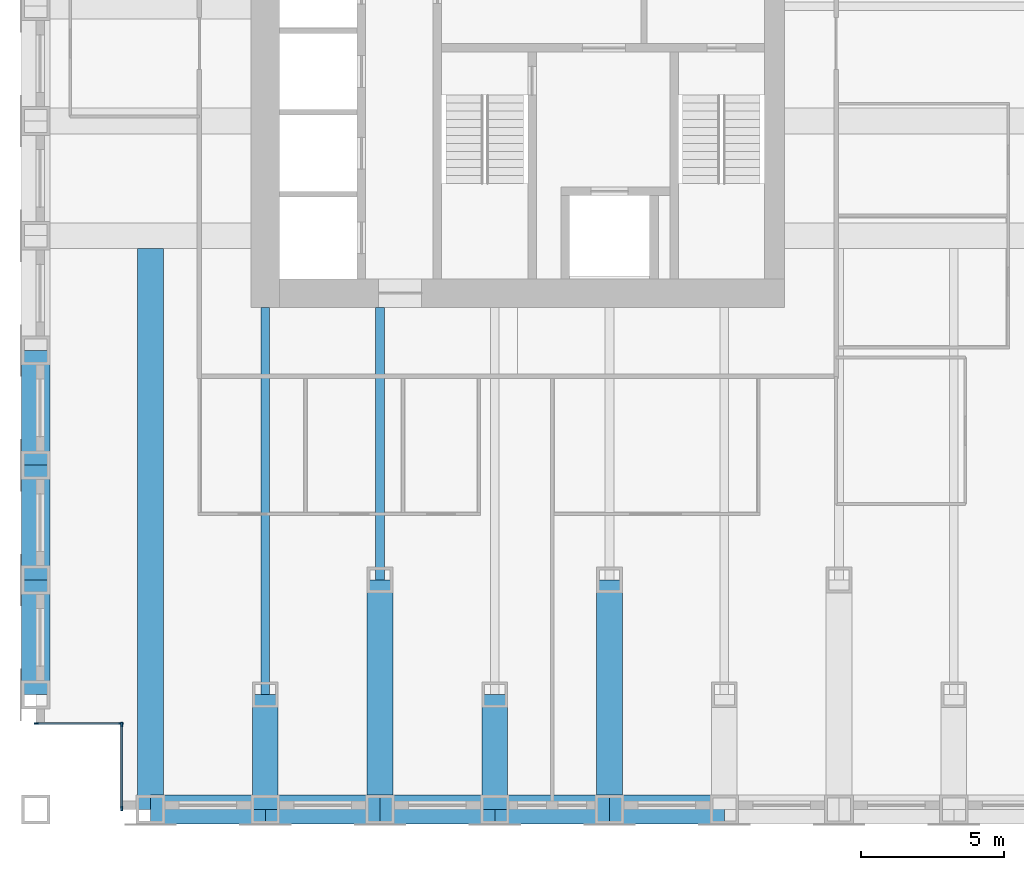
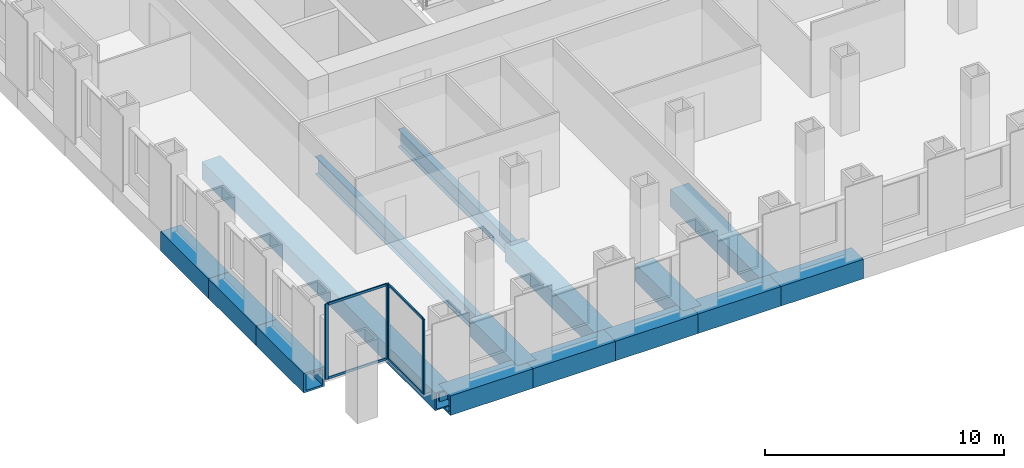
# One storey, part 2 of 16: 15 beams, 8 members, 2 elements without a shape of their own.
"""IFC4 building model written with IfcOpenShell, lengths in metres."""

import ifcopenshell
import ifcopenshell.guid

model = None  # the IFC model being written
_history = None  # IfcOwnerHistory: only IFC2X3 demands one
_inside = {}  # id of a spatial element -> (the spatial element, [elements in it])
_under = {}  # id of a project, library or spatial element -> (it, [spatial elements below it])
_declared = {}  # id of a project -> (the project, [libraries it declares])
_typed = {}  # id of a type object -> (the type object, [elements of that type])
_made_of = {}  # id of a material, layer set ... -> (it, [elements and type objects made of it])


def new_model(schema):
    """Start an empty IFC model of exactly this schema.

    Asked for "IFC4X3", IfcOpenShell would pick the latest addendum, in which some entities
    have other attributes; the version numbers below select the first issue.
    IFC2X3 requires an IfcOwnerHistory on every rooted entity: one is made here for all.
    """
    global model, _history
    if schema == "IFC4X3":
        model = ifcopenshell.file(schema_version=(4, 3, 0, 0))
    else:
        model = ifcopenshell.file(schema=schema)
    _inside.clear()
    _under.clear()
    _declared.clear()
    _typed.clear()
    _made_of.clear()
    _history = None
    if model.schema == "IFC2X3":
        org = make("IfcOrganization", Name="unknown")
        user = make(
            "IfcPersonAndOrganization",
            ThePerson=make("IfcPerson", FamilyName="unknown"),
            TheOrganization=org,
        )
        app = make(
            "IfcApplication",
            ApplicationDeveloper=org,
            Version="unknown",
            ApplicationFullName="unknown",
            ApplicationIdentifier="unknown",
        )
        _history = make(
            "IfcOwnerHistory",
            OwningUser=user,
            OwningApplication=app,
            ChangeAction="ADDED",
            CreationDate=0,
        )
    return model


def make(cls, **values):
    """One entity of the class cls with the attributes given. An attribute that is None is left unset."""
    return model.create_entity(
        cls, **{name: value for name, value in values.items() if value is not None}
    )


def rooted(cls, **values):
    """An entity with a GlobalId (a new one), such as an element, a storey or a relation."""
    return make(cls, GlobalId=ifcopenshell.guid.new(), OwnerHistory=_history, **values)


def si_unit(unit_type, name, prefix=None):
    """IfcSIUnit, for example si_unit("LENGTHUNIT", "METRE", prefix="MILLI")."""
    return make("IfcSIUnit", UnitType=unit_type, Prefix=prefix, Name=name)


def assignment(units):
    """IfcUnitAssignment: the units of a project."""
    return None if units is None else make("IfcUnitAssignment", Units=units)


def point(xyz):
    """IfcCartesianPoint."""
    return None if xyz is None else make("IfcCartesianPoint", Coordinates=xyz)


def direction(xyz):
    """IfcDirection."""
    return None if xyz is None else make("IfcDirection", DirectionRatios=xyz)


def frame(location, z_axis=None, x_axis=None):
    """IfcAxis2Placement3D, a coordinate frame: its origin and axes. An axis left out is left unset."""
    return make(
        "IfcAxis2Placement3D",
        Location=point(location),
        Axis=direction(z_axis),
        RefDirection=direction(x_axis),
    )


def frame_2d(location, x_axis=None):
    """IfcAxis2Placement2D, a coordinate frame in the plane: its origin and x axis."""
    return make(
        "IfcAxis2Placement2D", Location=point(location), RefDirection=direction(x_axis)
    )


def origin():
    """The frame at (0, 0, 0) with its axes left unset."""
    return frame((0.0, 0.0, 0.0))


def origin_2d():
    """The frame at (0, 0) in the plane with its x axis left unset."""
    return frame_2d((0.0, 0.0))


def place(relative_to, where):
    """IfcLocalPlacement: puts the frame where relative to a parent placement (None: the world)."""
    return make(
        "IfcLocalPlacement", PlacementRelTo=relative_to, RelativePlacement=where
    )


def context(
    kind, dimensions, precision=None, world=None, true_north=None, identifier=None
):
    """IfcGeometricRepresentationContext, for example the 3D "Model" context."""
    return make(
        "IfcGeometricRepresentationContext",
        ContextIdentifier=identifier,
        ContextType=kind,
        CoordinateSpaceDimension=dimensions,
        Precision=precision,
        WorldCoordinateSystem=world,
        TrueNorth=true_north,
    )


def subcontext(parent, identifier, kind, view, scale=None):
    """IfcGeometricRepresentationSubContext, for example "Body" below "Model"."""
    return make(
        "IfcGeometricRepresentationSubContext",
        ContextIdentifier=identifier,
        ContextType=kind,
        ParentContext=parent,
        TargetScale=scale,
        TargetView=view,
    )


def project(units=None, contexts=None):
    """IfcProject with its units and contexts."""
    return rooted(
        "IfcProject",
        Name="project",
        RepresentationContexts=contexts,
        UnitsInContext=assignment(units),
    )


def spatial(cls, under=None, at=None, **own):
    """A site, building, storey or space (cls), placed at a placement, below another one or the project."""
    s = rooted(cls, ObjectPlacement=at, **own)
    if under is not None:
        _under.setdefault(under.id(), (under, []))[1].append(s)
    return s


def profile(cls, at=None, kind="AREA", **sizes):
    """A parametric profile (cls). Its sizes go by their IFC names, for example OverallWidth=200.0."""
    return make(cls, ProfileType=kind, Position=at, **sizes)


def rectangle(**sizes):
    """IfcRectangleProfileDef."""
    return profile("IfcRectangleProfileDef", **sizes)


def hollow_rectangle(**sizes):
    """IfcRectangleHollowProfileDef."""
    return profile("IfcRectangleHollowProfileDef", **sizes)


def i_section(**sizes):
    """IfcIShapeProfileDef."""
    return profile("IfcIShapeProfileDef", **sizes)


def extrude(swept, where, along, depth):
    """IfcExtrudedAreaSolid: the profile swept, set in the frame where, extruded along a direction by depth."""
    return make(
        "IfcExtrudedAreaSolid",
        SweptArea=swept,
        Position=where,
        ExtrudedDirection=direction(along),
        Depth=depth,
    )


def shape(context_of_items, identifier, shape_type, items):
    """IfcShapeRepresentation: the items that make up one representation, for example the "Body"."""
    return make(
        "IfcShapeRepresentation",
        ContextOfItems=context_of_items,
        RepresentationIdentifier=identifier,
        RepresentationType=shape_type,
        Items=items,
    )


def material(Name=None, Category=None):
    """IfcMaterial."""
    return make("IfcMaterial", Name=Name, Category=Category)


def material_profile(
    of_material, cross_section, Name=None, Category=None, Priority=None
):
    """IfcMaterialProfile: a cross section and its material."""
    return make(
        "IfcMaterialProfile",
        Name=Name,
        Material=of_material,
        Profile=cross_section,
        Priority=Priority,
        Category=Category,
    )


def profile_set(profiles, Name=None, composite=None):
    """IfcMaterialProfileSet."""
    return make(
        "IfcMaterialProfileSet",
        Name=Name,
        MaterialProfiles=profiles,
        CompositeProfile=composite,
    )


def made_of(thing, what):
    """Note that an element or type object is made of a material, layer set ...; save() writes the relation."""
    if what is not None:
        _made_of.setdefault(what.id(), (what, []))[1].append(thing)
    return thing


def type_object(cls, material=None, **own):
    """A type object (cls), such as IfcWallType, which elements share."""
    return made_of(rooted(cls, **own), material)


def element(
    cls,
    number,
    at=None,
    inside=None,
    cuts=None,
    type_object=None,
    material=None,
    context=None,
    identifier="Body",
    shape_type=None,
    held_by="IfcProductDefinitionShape",
    body=None,
    shapes=None,
    **own,
):
    """One element of the class cls, such as IfcWall. Its Tag is "e" and its number.

    at: its placement. inside: the storey or other place that contains it. cuts: it is an
    opening in that element (IfcRelVoidsElement). A single representation is given by context,
    identifier, shape_type and body (its items); several are given by shapes. held_by: the class
    of the entity that holds the representations. save() writes the other relations.
    """
    e = rooted(cls, Tag="e%d" % number, ObjectPlacement=at, **own)
    if body is not None:
        shapes = [shape(context, identifier, shape_type, body)]
    if shapes is not None:
        e.Representation = make(held_by, Representations=shapes)
    if inside is not None:
        _inside.setdefault(inside.id(), (inside, []))[1].append(e)
    if cuts is not None:
        rooted(
            "IfcRelVoidsElement", RelatingBuildingElement=cuts, RelatedOpeningElement=e
        )
    if type_object is not None:
        _typed.setdefault(type_object.id(), (type_object, []))[1].append(e)
    return made_of(e, material)


def aggregate(whole, parts):
    """IfcRelAggregates: a whole, such as a stair, and the parts it consists of."""
    return rooted("IfcRelAggregates", RelatingObject=whole, RelatedObjects=parts)


def save(model, path):
    """Write the relations noted so far, then the file.

    IfcRelAggregates (storeys below a building ...), IfcRelContainedInSpatialStructure (elements
    in a storey), IfcRelDefinesByType, IfcRelAssociatesMaterial and IfcRelDeclares: one each for
    every whole, place, type object, material and project.
    """
    for whole, parts in _under.values():
        aggregate(whole, parts)
    for where, things in _inside.values():
        rooted(
            "IfcRelContainedInSpatialStructure",
            RelatedElements=things,
            RelatingStructure=where,
        )
    for kind, things in _typed.values():
        rooted("IfcRelDefinesByType", RelatedObjects=things, RelatingType=kind)
    for what, things in _made_of.values():
        rooted("IfcRelAssociatesMaterial", RelatedObjects=things, RelatingMaterial=what)
    for by, libraries in _declared.values():
        rooted("IfcRelDeclares", RelatingContext=by, RelatedDefinitions=libraries)
    model.write(path)


model = new_model("IFC4")

# Units and contexts
model_context = context("Model", 3, precision=1e-05, world=origin(), true_north=direction((0.0, 1.0)))
body_context = subcontext(model_context, "Body", "Model", "MODEL_VIEW")
ifc_project = project(units=[si_unit("LENGTHUNIT", "METRE"), si_unit("AREAUNIT", "SQUARE_METRE"), si_unit("VOLUMEUNIT", "CUBIC_METRE"), si_unit("PLANEANGLEUNIT", "RADIAN"), si_unit("MASSUNIT", "GRAM", prefix="KILO")], contexts=[model_context])

# Site, building, storey
site_placement = place(None, origin())
site = spatial("IfcSite", under=ifc_project, at=site_placement, CompositionType="ELEMENT")
building_placement = place(site_placement, origin())
building = spatial("IfcBuilding", under=site, at=building_placement, Name="Rimbunsela Tower", CompositionType="ELEMENT")
storey_placement = place(building_placement, frame((0.0, 0.0, 89.39990234375)))
storey = spatial("IfcBuildingStorey", under=building, at=storey_placement, Name="L21", CompositionType="ELEMENT", Elevation=89.39990234375)

# Beams
ifc_material_1 = material(Name="Steel BJ 55 (fy 410 MPa)", Category="steel")
ifc_material_profile_1 = material_profile(ifc_material_1, hollow_rectangle(XDim=1.0, YDim=1.0, WallThickness=0.10009765625, at=origin_2d()), Name="BOX 1000x1000x100")
ifc_profile_set_1 = profile_set([ifc_material_profile_1], Name="Steel BJ 55 (fy 410 MPa)")
beam_type_1 = type_object("IfcBeamType", Name="Beam BOX 1000x1000x100", PredefinedType="BEAM", material=ifc_profile_set_1)
for number, where, z_axis, x_axis, name in (
    (1, (10.0, 4.0, -0.64990234375), (0.0, 1.0, 0.0), (-1.0, 0.0, 0.0), "Beam B3 L21"),
    (2, (10.0, 8.0, -0.64990234375), (0.0, 1.0, 0.0), (-1.0, 0.0, 0.0), "Beam B3 L21"),
    (3, (10.0, 12.0, -0.64990234375), (0.0, 1.0, 0.0), (-1.0, 0.0, 0.0), "Beam B3 L21"),
    (4, (14.0, 0.0, -0.64990234375), (1.0, 0.0, 0.0), (0.0, 1.0, 0.0), "Beam B3 L21"),
    (5, (18.0, 0.0, -0.64990234375), (1.0, 0.0, 0.0), (0.0, 1.0, 0.0), "Beam B3 L21"),
    (6, (22.0, 0.0, -0.64990234375), (1.0, 0.0, 0.0), (0.0, 1.0, 0.0), "Beam B3 L21"),
    (7, (26.0, 0.0, -0.64990234375), (1.0, 0.0, 0.0), (0.0, 1.0, 0.0), "Beam B3 L21"),
    (8, (30.0, 0.0, -0.64990234375), (1.0, 0.0, 0.0), (0.0, 1.0, 0.0), "Beam B3 L21"),
):
    element("IfcBeam", number, at=place(storey_placement, frame(where, z_axis=z_axis, x_axis=x_axis)), inside=storey, type_object=beam_type_1, Name=name, PredefinedType="BEAM", context=body_context, shape_type="SweptSolid", body=[
        extrude(hollow_rectangle(XDim=1.0, YDim=1.0, WallThickness=0.10009765625, at=origin_2d()), origin(), (0.0, 0.0, 1.0), 4.0),
    ])
ifc_material_2 = material(Name="Steel BJ 55 (fy 410 MPa)", Category="steel")
ifc_material_profile_2 = material_profile(ifc_material_2, hollow_rectangle(XDim=0.89990234375, YDim=0.89990234375, WallThickness=0.06005859375, at=origin_2d()), Name="BOX 900x900x60")
ifc_profile_set_2 = profile_set([ifc_material_profile_2], Name="Steel BJ 55 (fy 410 MPa)")
beam_type_2 = type_object("IfcBeamType", Name="Beam BOX 900x900x60", PredefinedType="BEAM", material=ifc_profile_set_2)
beam_1_placement = place(storey_placement, frame((14.0, 0.0, -0.599853515625), z_axis=(0.0, 1.0, 0.0), x_axis=(-1.0, 0.0, 0.0)))
element("IfcBeam", 9, at=beam_1_placement, inside=storey, type_object=beam_type_2, Name="Beam B1 L21", PredefinedType="BEAM", context=body_context, shape_type="SweptSolid", body=[
    extrude(hollow_rectangle(XDim=0.89990234375, YDim=0.89990234375, WallThickness=0.06005859375, at=origin_2d()), origin(), (0.0, 0.0, 1.0), 19.550048828125),
])
beam_2_placement = place(storey_placement, frame((18.0, 0.0, -0.599853515625), z_axis=(0.0, 1.0, 0.0), x_axis=(-1.0, 0.0, 0.0)))
element("IfcBeam", 10, at=beam_2_placement, inside=storey, type_object=beam_type_2, Name="Beam B1 L21", PredefinedType="BEAM", context=body_context, shape_type="SweptSolid", body=[
    extrude(hollow_rectangle(XDim=0.89990234375, YDim=0.89990234375, WallThickness=0.06005859375, at=origin_2d()), origin(), (0.0, 0.0, 1.0), 4.0),
])
beam_3_placement = place(storey_placement, frame((22.0, 0.0, -0.599853515625), z_axis=(0.0, 1.0, 0.0), x_axis=(-1.0, 0.0, 0.0)))
element("IfcBeam", 11, at=beam_3_placement, inside=storey, type_object=beam_type_2, Name="Beam B1 L21", PredefinedType="BEAM", context=body_context, shape_type="SweptSolid", body=[
    extrude(hollow_rectangle(XDim=0.89990234375, YDim=0.89990234375, WallThickness=0.06005859375, at=origin_2d()), origin(), (0.0, 0.0, 1.0), 8.0),
])
beam_4_placement = place(storey_placement, frame((26.0, 0.0, -0.599853515625), z_axis=(0.0, 1.0, 0.0), x_axis=(-1.0, 0.0, 0.0)))
element("IfcBeam", 12, at=beam_4_placement, inside=storey, type_object=beam_type_2, Name="Beam B1 L21", PredefinedType="BEAM", context=body_context, shape_type="SweptSolid", body=[
    extrude(hollow_rectangle(XDim=0.89990234375, YDim=0.89990234375, WallThickness=0.06005859375, at=origin_2d()), origin(), (0.0, 0.0, 1.0), 4.0),
])
beam_5_placement = place(storey_placement, frame((30.0, 0.0, -0.599853515625), z_axis=(0.0, 1.0, 0.0), x_axis=(-1.0, 0.0, 0.0)))
element("IfcBeam", 13, at=beam_5_placement, inside=storey, type_object=beam_type_2, Name="Beam B1 L21", PredefinedType="BEAM", context=body_context, shape_type="SweptSolid", body=[
    extrude(hollow_rectangle(XDim=0.89990234375, YDim=0.89990234375, WallThickness=0.06005859375, at=origin_2d()), origin(), (0.0, 0.0, 1.0), 8.0),
])
ifc_material_3 = material(Name="Steel BJ 55 (fy 410 MPa)", Category="steel")
ifc_material_profile_3 = material_profile(ifc_material_3, i_section(OverallWidth=0.300048828125, OverallDepth=0.89990234375, WebThickness=0.01611328125, FlangeThickness=0.028076171875, FilletRadius=0.028076171875, at=origin_2d()), Name="H 900x300x16x28")
ifc_profile_set_3 = profile_set([ifc_material_profile_3], Name="Steel BJ 55 (fy 410 MPa)")
beam_type_3 = type_object("IfcBeamType", Name="Beam H 900x300x16x28", PredefinedType="BEAM", material=ifc_profile_set_3)
beam_6_placement = place(storey_placement, frame((18.0, 4.0, -0.599853515625), z_axis=(0.0, 1.0, 0.0), x_axis=(-1.0, 0.0, 0.0)))
element("IfcBeam", 14, at=beam_6_placement, inside=storey, type_object=beam_type_3, Name="Beam B2 L21", PredefinedType="BEAM", context=body_context, shape_type="SweptSolid", body=[
    extrude(i_section(OverallWidth=0.300048828125, OverallDepth=0.89990234375, WebThickness=0.01611328125, FlangeThickness=0.028076171875, FilletRadius=0.028076171875, at=origin_2d()), origin(), (0.0, 0.0, 1.0), 13.5),
])
beam_7_placement = place(storey_placement, frame((22.0, 8.0, -0.599853515625), z_axis=(0.0, 1.0, 0.0), x_axis=(-1.0, 0.0, 0.0)))
element("IfcBeam", 15, at=beam_7_placement, inside=storey, type_object=beam_type_3, Name="Beam B2 L21", PredefinedType="BEAM", context=body_context, shape_type="SweptSolid", body=[
    extrude(i_section(OverallWidth=0.300048828125, OverallDepth=0.89990234375, WebThickness=0.01611328125, FlangeThickness=0.028076171875, FilletRadius=0.028076171875, at=origin_2d()), origin(), (0.0, 0.0, 1.0), 9.5),
])

# Curtain wall, members
ifc_material_4 = material(Name="Aluminium curtain wall", Category="aluminium")
curtain_wall_type = type_object("IfcCurtainWallType", Name="Corner glazing", PredefinedType="USERDEFINED", material=ifc_material_4)
curtain_wall_1_placement = place(storey_placement, origin())
curtain_wall_1 = element("IfcCurtainWall", 16, at=curtain_wall_1_placement, inside=storey, type_object=curtain_wall_type, Name="Corner glazing L21", ObjectType="CORNER GLAZING", PredefinedType="USERDEFINED")
ifc_material_5 = material(Name="Aluminium mullion", Category="aluminium")
ifc_material_profile_4 = material_profile(ifc_material_5, rectangle(XDim=0.06005859375, YDim=0.159912109375, at=origin_2d()), Name="Mullion 60x160")
ifc_profile_set_4 = profile_set([ifc_material_profile_4], Name="Aluminium mullion")
member_type_1 = type_object("IfcMemberType", Name="Curtain wall mullion 60x160", PredefinedType="MULLION", material=ifc_profile_set_4)
member_1_placement = place(storey_placement, frame((10.030029296875, 3.0, 0.0), z_axis=(0.0, 0.0, 1.0), x_axis=(0.0, 1.0, 0.0)))
member_1 = element("IfcMember", 17, at=member_1_placement, type_object=member_type_1, Name="CW5 mullion 1", PredefinedType="MULLION", context=body_context, shape_type="SweptSolid", body=[
    extrude(rectangle(XDim=0.06005859375, YDim=0.159912109375, at=origin_2d()), origin(), (0.0, 0.0, 1.0), 3.85009765625),
])
member_2_placement = place(storey_placement, frame((12.969970703125, 3.0, 0.0), z_axis=(0.0, 0.0, 1.0), x_axis=(0.0, 1.0, 0.0)))
member_2 = element("IfcMember", 18, at=member_2_placement, type_object=member_type_1, Name="CW5 mullion 2", PredefinedType="MULLION", context=body_context, shape_type="SweptSolid", body=[
    extrude(rectangle(XDim=0.06005859375, YDim=0.159912109375, at=origin_2d()), origin(), (0.0, 0.0, 1.0), 3.85009765625),
])

curtain_wall_2_placement = place(storey_placement, origin())
curtain_wall_2 = element("IfcCurtainWall", 19, at=curtain_wall_2_placement, inside=storey, type_object=curtain_wall_type, Name="Corner glazing L21", ObjectType="CORNER GLAZING", PredefinedType="USERDEFINED")
member_3_placement = place(storey_placement, frame((13.0, 2.969970703125, 0.0), z_axis=(0.0, 0.0, 1.0), x_axis=(1.0, 0.0, 0.0)))
member_3 = element("IfcMember", 20, at=member_3_placement, type_object=member_type_1, Name="CW5 mullion 1", PredefinedType="MULLION", context=body_context, shape_type="SweptSolid", body=[
    extrude(rectangle(XDim=0.06005859375, YDim=0.159912109375, at=origin_2d()), origin(), (0.0, 0.0, 1.0), 3.85009765625),
])
member_4_placement = place(storey_placement, frame((13.0, 0.030029296875, 0.0), z_axis=(0.0, 0.0, 1.0), x_axis=(1.0, 0.0, 0.0)))
member_4 = element("IfcMember", 21, at=member_4_placement, type_object=member_type_1, Name="CW5 mullion 2", PredefinedType="MULLION", context=body_context, shape_type="SweptSolid", body=[
    extrude(rectangle(XDim=0.06005859375, YDim=0.159912109375, at=origin_2d()), origin(), (0.0, 0.0, 1.0), 3.85009765625),
])

# Member
ifc_material_6 = material(Name="Aluminium transom", Category="aluminium")
ifc_material_profile_5 = material_profile(ifc_material_6, rectangle(XDim=0.06005859375, YDim=0.1201171875, at=origin_2d()), Name="Transom 60x120")
ifc_profile_set_5 = profile_set([ifc_material_profile_5], Name="Aluminium transom")
member_type_2 = type_object("IfcMemberType", Name="Curtain wall transom 60x120", PredefinedType="USERDEFINED", material=ifc_profile_set_5)
member_5_placement = place(storey_placement, frame((10.06005859375, 3.0, 0.030029296875), z_axis=(1.0, 0.0, 0.0), x_axis=(0.0, 1.0, 0.0)))
member_5 = element("IfcMember", 22, at=member_5_placement, type_object=member_type_2, Name="CW5 transom 1.1", ObjectType="TRANSOM", PredefinedType="USERDEFINED", context=body_context, shape_type="SweptSolid", body=[
    extrude(rectangle(XDim=0.06005859375, YDim=0.1201171875, at=origin_2d()), origin(), (0.0, 0.0, 1.0), 2.8798828125),
])

member_6_placement = place(storey_placement, frame((10.06005859375, 3.0, 3.820068359375), z_axis=(1.0, 0.0, 0.0), x_axis=(0.0, 1.0, 0.0)))
member_6 = element("IfcMember", 23, at=member_6_placement, type_object=member_type_2, Name="CW5 transom 1.2", ObjectType="TRANSOM", PredefinedType="USERDEFINED", context=body_context, shape_type="SweptSolid", body=[
    extrude(rectangle(XDim=0.06005859375, YDim=0.1201171875, at=origin_2d()), origin(), (0.0, 0.0, 1.0), 2.8798828125),
])

aggregate(curtain_wall_1, [member_1, member_2, member_5, member_6])

member_7_placement = place(storey_placement, frame((13.0, 2.93994140625, 0.030029296875), z_axis=(0.0, -1.0, 0.0), x_axis=(1.0, 0.0, 0.0)))
member_7 = element("IfcMember", 24, at=member_7_placement, type_object=member_type_2, Name="CW5 transom 1.1", ObjectType="TRANSOM", PredefinedType="USERDEFINED", context=body_context, shape_type="SweptSolid", body=[
    extrude(rectangle(XDim=0.06005859375, YDim=0.1201171875, at=origin_2d()), origin(), (0.0, 0.0, 1.0), 2.8798828125),
])

member_8_placement = place(storey_placement, frame((13.0, 2.93994140625, 3.820068359375), z_axis=(0.0, -1.0, 0.0), x_axis=(1.0, 0.0, 0.0)))
member_8 = element("IfcMember", 25, at=member_8_placement, type_object=member_type_2, Name="CW5 transom 1.2", ObjectType="TRANSOM", PredefinedType="USERDEFINED", context=body_context, shape_type="SweptSolid", body=[
    extrude(rectangle(XDim=0.06005859375, YDim=0.1201171875, at=origin_2d()), origin(), (0.0, 0.0, 1.0), 2.8798828125),
])

aggregate(curtain_wall_2, [member_3, member_4, member_7, member_8])

save(model, "model.ifc")
